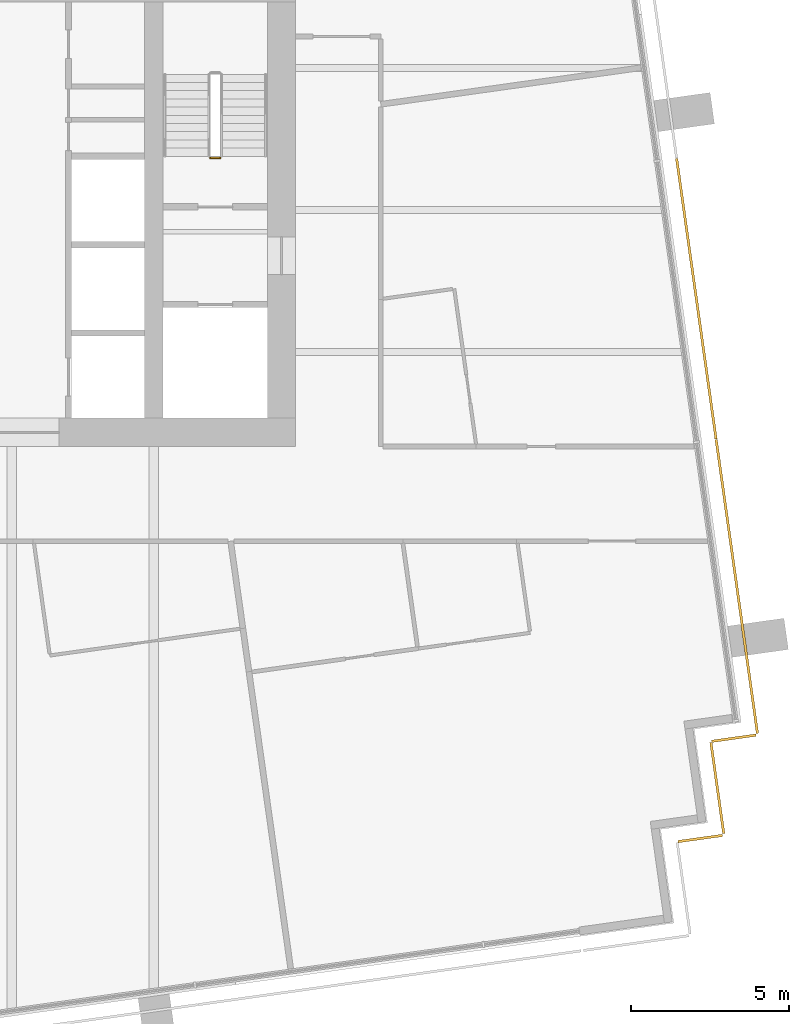
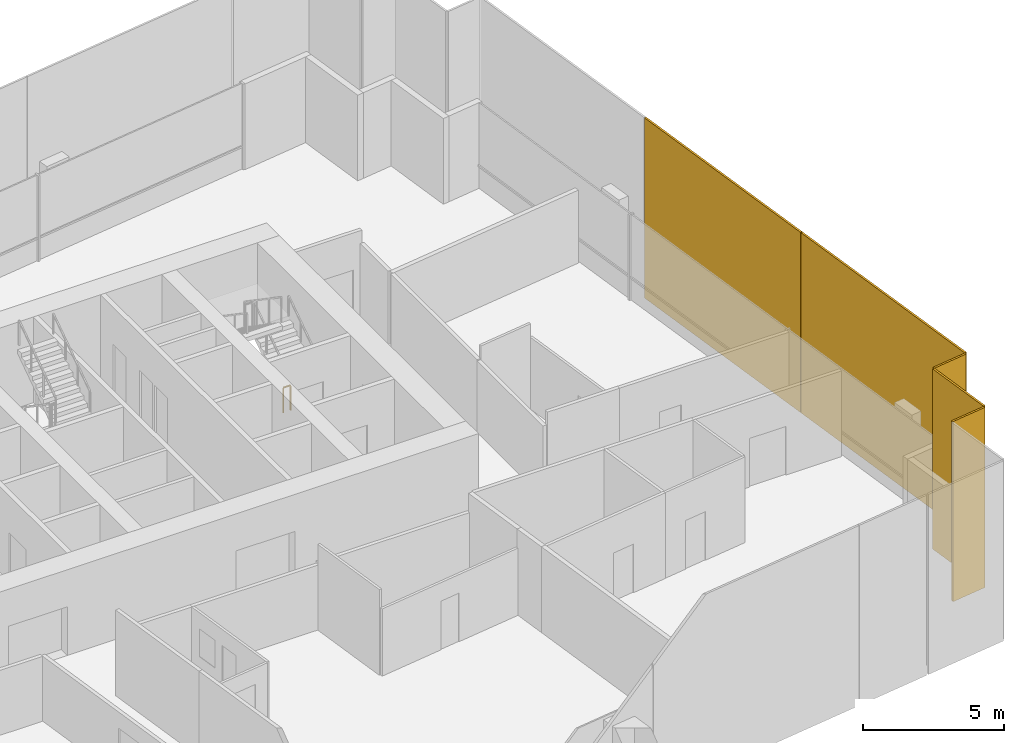
# One storey, part 15 of 17: 5 coverings, 1 railing.
"""IFC4 building model written with IfcOpenShell, lengths in metres."""

from ifc_helpers import new_model, si_unit, direction, frame, origin, origin_2d, place, context, subcontext, project, spatial, rectangle, extrude, material, layer, layer_set, type_object, element, save


model = new_model("IFC4")

# Units and contexts
model_context = context("Model", 3, precision=1e-05, world=origin(), true_north=direction((0.0, 1.0)))
body_context = subcontext(model_context, "Body", "Model", "MODEL_VIEW")
ifc_project = project(units=[si_unit("LENGTHUNIT", "METRE"), si_unit("AREAUNIT", "SQUARE_METRE"), si_unit("VOLUMEUNIT", "CUBIC_METRE"), si_unit("PLANEANGLEUNIT", "RADIAN"), si_unit("MASSUNIT", "GRAM", prefix="KILO")], contexts=[model_context])

# Site, building, storey
site_placement = place(None, origin())
site = spatial("IfcSite", under=ifc_project, at=site_placement, CompositionType="ELEMENT")
building_placement = place(site_placement, origin())
building = spatial("IfcBuilding", under=site, at=building_placement, Name="Rattan Terrace Tower", CompositionType="ELEMENT")
storey_placement = place(building_placement, frame((0.0, 0.0, 225.199951171875)))
storey = spatial("IfcBuildingStorey", under=building, at=storey_placement, Name="L51", CompositionType="ELEMENT", Elevation=225.199951171875)

# Railing
ifc_material_1 = material(Name="Powder-coated steel guard", Category="steel")
railing_type = type_object("IfcRailingType", Name="Core stair guard", PredefinedType="GUARDRAIL", material=ifc_material_1)
railing_placement = place(storey_placement, frame((15.60009765625, 1.64990234375, 0.0)))
element("IfcRailing", 1, at=railing_placement, inside=storey, type_object=railing_type, Name="L51 S2 stair guard 4", PredefinedType="GUARDRAIL", context=body_context, shape_type="SweptSolid", body=[
    extrude(rectangle(XDim=0.048095703125, YDim=0.048095703125, at=origin_2d()), frame((0.0, 0.0, 1.076171875), z_axis=(-1.0, 0.0, 0.0), x_axis=(0.0, -1.0, 0.0)), (0.0, 0.0, 1.0), 0.300048828125),
    extrude(rectangle(XDim=0.0419921875, YDim=0.0419921875, at=origin_2d()), origin(), (0.0, 0.0, 1.0), 1.052001953125),
    extrude(rectangle(XDim=0.0419921875, YDim=0.0419921875, at=origin_2d()), frame((-0.300048828125, 0.0, 0.0)), (0.0, 0.0, 1.0), 1.052001953125),
])

# Coverings
ifc_material_2 = material(Name="Perforated terracotta", Category="masonry")
ifc_layer = layer(ifc_material_2, 0.080078125)
ifc_layer_set = layer_set([ifc_layer], Name="Facade Terracotta Screen Panel HZ")
covering_type = type_object("IfcCoveringType", Name="Facade Terracotta Screen Panel HZ", PredefinedType="CLADDING", material=ifc_layer_set)
covering_1_placement = place(storey_placement, frame((30.8251953125, -19.927001953125, -0.18994140625), z_axis=(0.0, 0.0, 1.0), x_axis=(0.990332587523, 0.138713251317, 0.0)))
element("IfcCovering", 2, at=covering_1_placement, inside=storey, type_object=covering_type, Name="OUTER SKIN panel L51-3", PredefinedType="CLADDING", context=body_context, shape_type="SweptSolid", body=[
    extrude(rectangle(XDim=1.419677734375, YDim=0.080078125, at=origin_2d()), origin(), (0.0, 0.0, 1.0), 7.780029296875),
])
covering_2_placement = place(storey_placement, frame((31.3671875, -18.326171875, -0.18994140625), z_axis=(0.0, 0.0, 1.0), x_axis=(-0.139321220646, 0.990247240581, 0.0)))
element("IfcCovering", 3, at=covering_2_placement, inside=storey, type_object=covering_type, Name="OUTER SKIN panel L51-4", PredefinedType="CLADDING", context=body_context, shape_type="SweptSolid", body=[
    extrude(rectangle(XDim=2.92041015625, YDim=0.080078125, at=origin_2d()), origin(), (0.0, 0.0, 1.0), 7.780029296875),
])
covering_3_placement = place(storey_placement, frame((31.892578125, -16.747314453125, -0.18994140625), z_axis=(0.0, 0.0, 1.0), x_axis=(0.99025370695, 0.139275252184, 0.0)))
element("IfcCovering", 4, at=covering_3_placement, inside=storey, type_object=covering_type, Name="OUTER SKIN panel L51-5", PredefinedType="CLADDING", context=body_context, shape_type="SweptSolid", body=[
    extrude(rectangle(XDim=1.420654296875, YDim=0.080078125, at=origin_2d()), origin(), (0.0, 0.0, 1.0), 7.780029296875),
])
covering_4_placement = place(storey_placement, frame((31.984375, -11.937744140625, -0.18994140625), z_axis=(0.0, 0.0, 1.0), x_axis=(-0.139186165309, 0.990266232579, 0.0)))
element("IfcCovering", 5, at=covering_4_placement, inside=storey, type_object=covering_type, Name="OUTER SKIN panel L51-6", PredefinedType="CLADDING", context=body_context, shape_type="SweptSolid", body=[
    extrude(rectangle(XDim=9.39990234375, YDim=0.080078125, at=origin_2d()), origin(), (0.0, 0.0, 1.0), 7.780029296875),
])
covering_5_placement = place(storey_placement, frame((30.702392578125, -2.8173828125, -0.18994140625), z_axis=(0.0, 0.0, 1.0), x_axis=(-0.139186165309, 0.990266232579, 0.0)))
element("IfcCovering", 6, at=covering_5_placement, inside=storey, type_object=covering_type, Name="OUTER SKIN panel L51-7", PredefinedType="CLADDING", context=body_context, shape_type="SweptSolid", body=[
    extrude(rectangle(XDim=8.97998046875, YDim=0.080078125, at=origin_2d()), origin(), (0.0, 0.0, 1.0), 7.780029296875),
])

save(model, "model.ifc")
